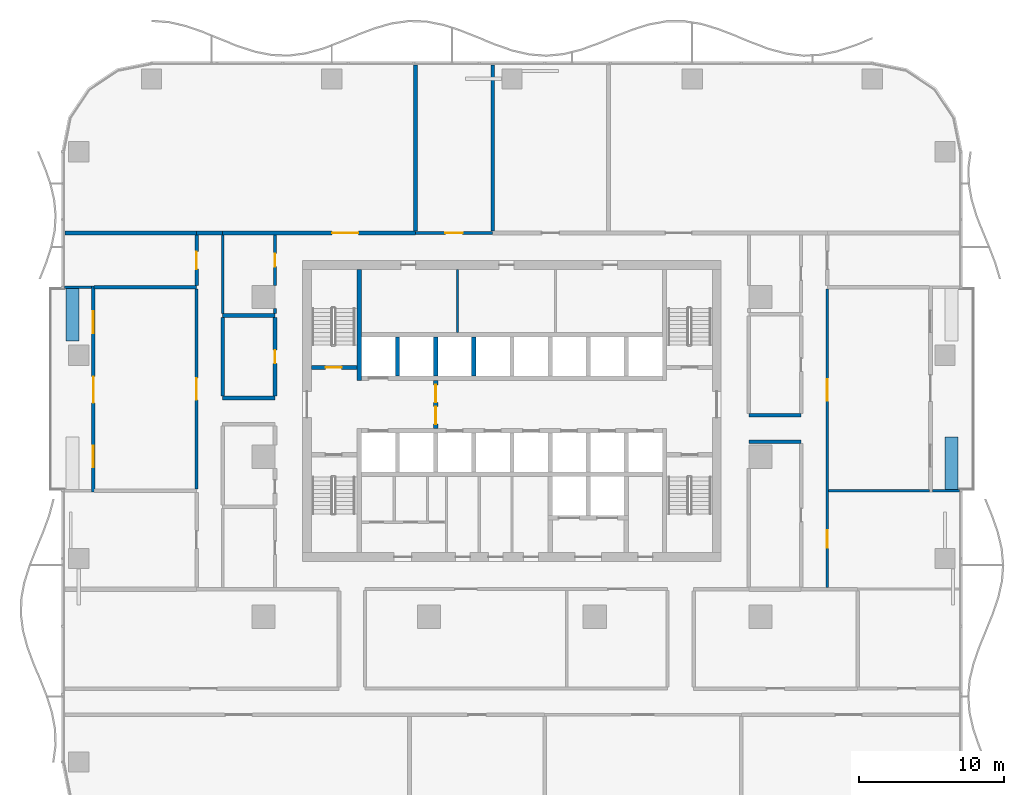
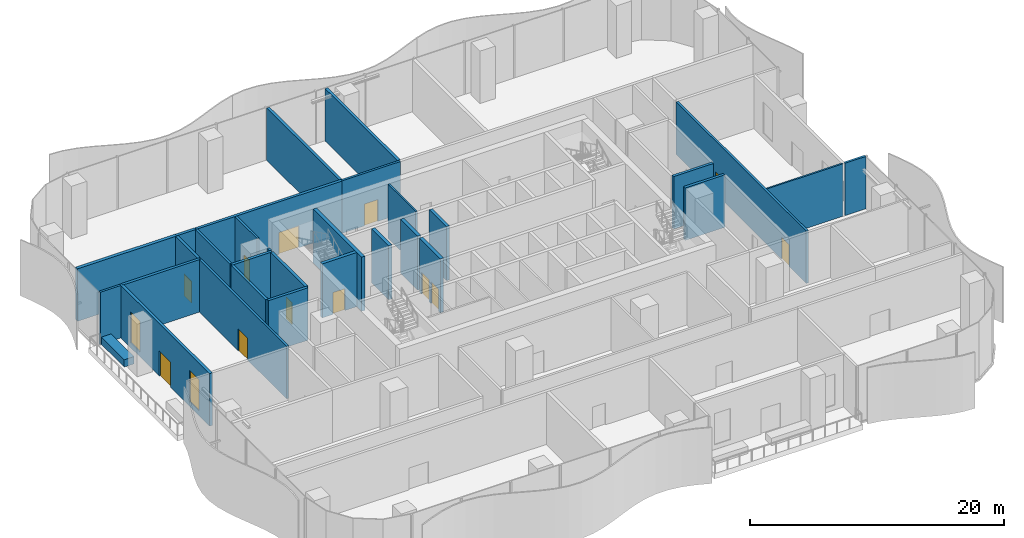
# One storey, part 10 of 20: 32 walls, 12 doors, 2 windows, 14 openings.
"""IFC4 building model written with IfcOpenShell, lengths in metres."""

import ifcopenshell
import ifcopenshell.guid

model = None  # the IFC model being written
_history = None  # IfcOwnerHistory: only IFC2X3 demands one
_inside = {}  # id of a spatial element -> (the spatial element, [elements in it])
_under = {}  # id of a project, library or spatial element -> (it, [spatial elements below it])
_declared = {}  # id of a project -> (the project, [libraries it declares])
_typed = {}  # id of a type object -> (the type object, [elements of that type])
_made_of = {}  # id of a material, layer set ... -> (it, [elements and type objects made of it])


def new_model(schema):
    """Start an empty IFC model of exactly this schema.

    Asked for "IFC4X3", IfcOpenShell would pick the latest addendum, in which some entities
    have other attributes; the version numbers below select the first issue.
    IFC2X3 requires an IfcOwnerHistory on every rooted entity: one is made here for all.
    """
    global model, _history
    if schema == "IFC4X3":
        model = ifcopenshell.file(schema_version=(4, 3, 0, 0))
    else:
        model = ifcopenshell.file(schema=schema)
    _inside.clear()
    _under.clear()
    _declared.clear()
    _typed.clear()
    _made_of.clear()
    _history = None
    if model.schema == "IFC2X3":
        org = make("IfcOrganization", Name="unknown")
        user = make(
            "IfcPersonAndOrganization",
            ThePerson=make("IfcPerson", FamilyName="unknown"),
            TheOrganization=org,
        )
        app = make(
            "IfcApplication",
            ApplicationDeveloper=org,
            Version="unknown",
            ApplicationFullName="unknown",
            ApplicationIdentifier="unknown",
        )
        _history = make(
            "IfcOwnerHistory",
            OwningUser=user,
            OwningApplication=app,
            ChangeAction="ADDED",
            CreationDate=0,
        )
    return model


def make(cls, **values):
    """One entity of the class cls with the attributes given. An attribute that is None is left unset."""
    return model.create_entity(
        cls, **{name: value for name, value in values.items() if value is not None}
    )


def rooted(cls, **values):
    """An entity with a GlobalId (a new one), such as an element, a storey or a relation."""
    return make(cls, GlobalId=ifcopenshell.guid.new(), OwnerHistory=_history, **values)


def si_unit(unit_type, name, prefix=None):
    """IfcSIUnit, for example si_unit("LENGTHUNIT", "METRE", prefix="MILLI")."""
    return make("IfcSIUnit", UnitType=unit_type, Prefix=prefix, Name=name)


def assignment(units):
    """IfcUnitAssignment: the units of a project."""
    return None if units is None else make("IfcUnitAssignment", Units=units)


def point(xyz):
    """IfcCartesianPoint."""
    return None if xyz is None else make("IfcCartesianPoint", Coordinates=xyz)


def direction(xyz):
    """IfcDirection."""
    return None if xyz is None else make("IfcDirection", DirectionRatios=xyz)


def frame(location, z_axis=None, x_axis=None):
    """IfcAxis2Placement3D, a coordinate frame: its origin and axes. An axis left out is left unset."""
    return make(
        "IfcAxis2Placement3D",
        Location=point(location),
        Axis=direction(z_axis),
        RefDirection=direction(x_axis),
    )


def frame_2d(location, x_axis=None):
    """IfcAxis2Placement2D, a coordinate frame in the plane: its origin and x axis."""
    return make(
        "IfcAxis2Placement2D", Location=point(location), RefDirection=direction(x_axis)
    )


def origin():
    """The frame at (0, 0, 0) with its axes left unset."""
    return frame((0.0, 0.0, 0.0))


def place(relative_to, where):
    """IfcLocalPlacement: puts the frame where relative to a parent placement (None: the world)."""
    return make(
        "IfcLocalPlacement", PlacementRelTo=relative_to, RelativePlacement=where
    )


def context(
    kind, dimensions, precision=None, world=None, true_north=None, identifier=None
):
    """IfcGeometricRepresentationContext, for example the 3D "Model" context."""
    return make(
        "IfcGeometricRepresentationContext",
        ContextIdentifier=identifier,
        ContextType=kind,
        CoordinateSpaceDimension=dimensions,
        Precision=precision,
        WorldCoordinateSystem=world,
        TrueNorth=true_north,
    )


def subcontext(parent, identifier, kind, view, scale=None):
    """IfcGeometricRepresentationSubContext, for example "Body" below "Model"."""
    return make(
        "IfcGeometricRepresentationSubContext",
        ContextIdentifier=identifier,
        ContextType=kind,
        ParentContext=parent,
        TargetScale=scale,
        TargetView=view,
    )


def project(units=None, contexts=None):
    """IfcProject with its units and contexts."""
    return rooted(
        "IfcProject",
        Name="project",
        RepresentationContexts=contexts,
        UnitsInContext=assignment(units),
    )


def spatial(cls, under=None, at=None, **own):
    """A site, building, storey or space (cls), placed at a placement, below another one or the project."""
    s = rooted(cls, ObjectPlacement=at, **own)
    if under is not None:
        _under.setdefault(under.id(), (under, []))[1].append(s)
    return s


def profile(cls, at=None, kind="AREA", **sizes):
    """A parametric profile (cls). Its sizes go by their IFC names, for example OverallWidth=200.0."""
    return make(cls, ProfileType=kind, Position=at, **sizes)


def rectangle(**sizes):
    """IfcRectangleProfileDef."""
    return profile("IfcRectangleProfileDef", **sizes)


def extrude(swept, where, along, depth):
    """IfcExtrudedAreaSolid: the profile swept, set in the frame where, extruded along a direction by depth."""
    return make(
        "IfcExtrudedAreaSolid",
        SweptArea=swept,
        Position=where,
        ExtrudedDirection=direction(along),
        Depth=depth,
    )


def shape(context_of_items, identifier, shape_type, items):
    """IfcShapeRepresentation: the items that make up one representation, for example the "Body"."""
    return make(
        "IfcShapeRepresentation",
        ContextOfItems=context_of_items,
        RepresentationIdentifier=identifier,
        RepresentationType=shape_type,
        Items=items,
    )


def material(Name=None, Category=None):
    """IfcMaterial."""
    return make("IfcMaterial", Name=Name, Category=Category)


def layer(
    of_material, thickness, ventilated=None, Name=None, Category=None, Priority=None
):
    """IfcMaterialLayer: one layer of a wall or slab, of a material (None: an air gap)."""
    return make(
        "IfcMaterialLayer",
        Material=of_material,
        LayerThickness=thickness,
        IsVentilated=ventilated,
        Name=Name,
        Category=Category,
        Priority=Priority,
    )


def layer_set(layers, Name=None):
    """IfcMaterialLayerSet."""
    return make("IfcMaterialLayerSet", MaterialLayers=layers, LayerSetName=Name)


def made_of(thing, what):
    """Note that an element or type object is made of a material, layer set ...; save() writes the relation."""
    if what is not None:
        _made_of.setdefault(what.id(), (what, []))[1].append(thing)
    return thing


def type_object(cls, material=None, **own):
    """A type object (cls), such as IfcWallType, which elements share."""
    return made_of(rooted(cls, **own), material)


def element(
    cls,
    number,
    at=None,
    inside=None,
    cuts=None,
    type_object=None,
    material=None,
    context=None,
    identifier="Body",
    shape_type=None,
    held_by="IfcProductDefinitionShape",
    body=None,
    shapes=None,
    **own,
):
    """One element of the class cls, such as IfcWall. Its Tag is "e" and its number.

    at: its placement. inside: the storey or other place that contains it. cuts: it is an
    opening in that element (IfcRelVoidsElement). A single representation is given by context,
    identifier, shape_type and body (its items); several are given by shapes. held_by: the class
    of the entity that holds the representations. save() writes the other relations.
    """
    e = rooted(cls, Tag="e%d" % number, ObjectPlacement=at, **own)
    if body is not None:
        shapes = [shape(context, identifier, shape_type, body)]
    if shapes is not None:
        e.Representation = make(held_by, Representations=shapes)
    if inside is not None:
        _inside.setdefault(inside.id(), (inside, []))[1].append(e)
    if cuts is not None:
        rooted(
            "IfcRelVoidsElement", RelatingBuildingElement=cuts, RelatedOpeningElement=e
        )
    if type_object is not None:
        _typed.setdefault(type_object.id(), (type_object, []))[1].append(e)
    return made_of(e, material)


def fill(opening, filler):
    """IfcRelFillsElement: the door or window that sits in an opening."""
    return rooted(
        "IfcRelFillsElement",
        RelatingOpeningElement=opening,
        RelatedBuildingElement=filler,
    )


def aggregate(whole, parts):
    """IfcRelAggregates: a whole, such as a stair, and the parts it consists of."""
    return rooted("IfcRelAggregates", RelatingObject=whole, RelatedObjects=parts)


def save(model, path):
    """Write the relations noted so far, then the file.

    IfcRelAggregates (storeys below a building ...), IfcRelContainedInSpatialStructure (elements
    in a storey), IfcRelDefinesByType, IfcRelAssociatesMaterial and IfcRelDeclares: one each for
    every whole, place, type object, material and project.
    """
    for whole, parts in _under.values():
        aggregate(whole, parts)
    for where, things in _inside.values():
        rooted(
            "IfcRelContainedInSpatialStructure",
            RelatedElements=things,
            RelatingStructure=where,
        )
    for kind, things in _typed.values():
        rooted("IfcRelDefinesByType", RelatedObjects=things, RelatingType=kind)
    for what, things in _made_of.values():
        rooted("IfcRelAssociatesMaterial", RelatedObjects=things, RelatingMaterial=what)
    for by, libraries in _declared.values():
        rooted("IfcRelDeclares", RelatingContext=by, RelatedDefinitions=libraries)
    model.write(path)


model = new_model("IFC4")

# Units and contexts
model_context = context("Model", 3, precision=1e-05, world=origin(), true_north=direction((0.0, 1.0)))
body_context = subcontext(model_context, "Body", "Model", "MODEL_VIEW")
ifc_project = project(units=[si_unit("LENGTHUNIT", "METRE"), si_unit("AREAUNIT", "SQUARE_METRE"), si_unit("VOLUMEUNIT", "CUBIC_METRE"), si_unit("PLANEANGLEUNIT", "RADIAN"), si_unit("MASSUNIT", "GRAM", prefix="KILO")], contexts=[model_context])

# Site, building, storey
site_placement = place(None, origin())
site = spatial("IfcSite", under=ifc_project, at=site_placement, CompositionType="ELEMENT")
building_placement = place(site_placement, origin())
building = spatial("IfcBuilding", under=site, at=building_placement, Name="Mopane Tessera Tower", CompositionType="ELEMENT")
storey_placement = place(building_placement, frame((0.0, 0.0, 25.5)))
storey = spatial("IfcBuildingStorey", under=building, at=storey_placement, Name="L04", CompositionType="ELEMENT", Elevation=25.5)

# Walls
ifc_material_1 = material(Name="Fire-rated gypsum board partition")
ifc_layer_1 = layer(ifc_material_1, 0.14990234375)
ifc_layer_set_1 = layer_set([ifc_layer_1], Name="Fire-rated gypsum board partition")
wall_type_1 = type_object("IfcWallType", Name="Core room partition 150 mm", PredefinedType="PARTITIONING", material=ifc_layer_set_1)
wall_1_placement = place(storey_placement, frame((-3.75, 8.550048828125, 0.0), z_axis=(0.0, 0.0, 1.0), x_axis=(0.0, 1.0, 0.0)))
element("IfcWall", 1, at=wall_1_placement, inside=storey, type_object=wall_type_1, Name="L04 Room partition", PredefinedType="PARTITIONING", context=body_context, shape_type="SweptSolid", body=[
    extrude(rectangle(XDim=4.349853515625, YDim=0.14990234375, at=frame_2d((2.1748046875, 0.0))), origin(), (0.0, 0.0, 1.0), 5.199951171875),
])
ifc_material_2 = material(Name="Concrete C60/75", Category="concrete")
ifc_layer_2 = layer(ifc_material_2, 0.300048828125)
ifc_layer_set_2 = layer_set([ifc_layer_2], Name="Concrete C60/75")
wall_type_2 = type_object("IfcWallType", Name="Core spine wall 300 mm", PredefinedType="SHEAR", material=ifc_layer_set_2)
wall_2_placement = place(storey_placement, frame((-10.5, 5.25, 0.0), z_axis=(0.0, 0.0, 1.0), x_axis=(0.0, 1.0, 0.0)))
element("IfcWall", 2, at=wall_2_placement, inside=storey, type_object=wall_type_2, Name="L04 Core spine wall", PredefinedType="SHEAR", context=body_context, shape_type="SweptSolid", body=[
    extrude(rectangle(XDim=7.64990234375, YDim=0.300048828125, at=frame_2d((3.824951171875, 0.0))), origin(), (0.0, 0.0, 1.0), 5.199951171875),
])

# Wall, opening, door
ifc_material_3 = material(Name="Gypsum board on steel studs, two layers each face, mineral wool infill", Category="steel")
ifc_layer_3 = layer(ifc_material_3, 0.199951171875)
ifc_layer_set_3 = layer_set([ifc_layer_3], Name="Gypsum board on steel studs, two layers each face, mineral wool infill")
wall_type_3 = type_object("IfcWallType", Name="Gypsum board corridor wall 200, rated EI 60", PredefinedType="PARTITIONING", material=ifc_layer_set_3)
wall_3_placement = place(storey_placement, frame((-6.639892578125, 15.39990234375, 0.0), z_axis=(0.0, 0.0, 1.0), x_axis=(1.0, 0.0, 0.0)))
wall_3 = element("IfcWall", 3, at=wall_3_placement, inside=storey, type_object=wall_type_3, Name="Partition L04:025", PredefinedType="PARTITIONING", context=body_context, shape_type="SweptSolid", body=[
    extrude(rectangle(XDim=5.309814453125, YDim=0.199951171875, at=frame_2d((2.65478515625, 0.0))), origin(), (0.0, 0.0, 1.0), 5.050048828125),
])
opening_1_placement = place(wall_3_placement, frame((2.054931640625, 0.0, 0.0)))
opening_1 = element("IfcOpeningElement", 4, at=opening_1_placement, cuts=wall_3, Name="Opening L04-24", PredefinedType="OPENING", context=body_context, shape_type="SweptSolid", body=[
    extrude(rectangle(XDim=1.199951171875, YDim=2.10009765625, at=frame_2d((0.60009765625, 1.050048828125))), frame((0.0, 0.112060546875, 0.0), z_axis=(0.0, -1.0, 0.0), x_axis=(1.0, 0.0, 0.0)), (0.0, 0.0, 1.0), 0.223876953125),
])
ifc_material_4 = material(Name="Timber veneered steel-framed fire door", Category="steel")
door_type_1 = type_object("IfcDoorType", Name="Fire door FD60 1200 x 2100", OperationType="SINGLE_SWING_LEFT", PredefinedType="DOOR", material=ifc_material_4)
door_1_placement = place(opening_1_placement, origin())
door_1 = element("IfcDoor", 5, at=door_1_placement, inside=storey, type_object=door_type_1, Name="Door L04-24", ObjectType="D15A", OperationType="SINGLE_SWING_LEFT", OverallHeight=2.10009765625, OverallWidth=1.199951171875, PredefinedType="DOOR", context=body_context, shape_type="SweptSolid", body=[
    extrude(rectangle(XDim=1.199951171875, YDim=2.10009765625, at=frame_2d((0.60009765625, 1.050048828125))), frame((0.0, 0.02490234375, 0.0), z_axis=(0.0, -1.0, 0.0), x_axis=(1.0, 0.0, 0.0)), (0.0, 0.0, 1.0), 0.050048828125),
])
fill(opening_1, door_1)

wall_4_placement = place(storey_placement, frame((-21.699951171875, -2.2099609375, 0.0), z_axis=(0.0, 0.0, 1.0), x_axis=(0.0, 1.0, 0.0)))
wall_4 = element("IfcWall", 6, at=wall_4_placement, inside=storey, type_object=wall_type_3, Name="Partition L04:031", PredefinedType="PARTITIONING", context=body_context, shape_type="SweptSolid", body=[
    extrude(rectangle(XDim=13.75, YDim=0.199951171875, at=frame_2d((6.875, 0.0))), origin(), (0.0, 0.0, 1.0), 5.050048828125),
])
opening_2_placement = place(wall_4_placement, frame((6.125, 0.0, 0.0)))
opening_2 = element("IfcOpeningElement", 7, at=opening_2_placement, cuts=wall_4, Name="Opening L04-18", PredefinedType="OPENING", context=body_context, shape_type="SweptSolid", body=[
    extrude(rectangle(XDim=1.5, YDim=2.10009765625, at=frame_2d((0.75, 1.050048828125))), frame((0.0, 0.112060546875, 0.0), z_axis=(0.0, -1.0, 0.0), x_axis=(1.0, 0.0, 0.0)), (0.0, 0.0, 1.0), 0.223876953125),
])
ifc_material_5 = material(Name="Timber veneered steel-framed fire door", Category="steel")
door_type_2 = type_object("IfcDoorType", Name="Fire door pair FD60 1500 x 2100", OperationType="DOUBLE_DOOR_SINGLE_SWING", PredefinedType="DOOR", material=ifc_material_5)
door_2_placement = place(opening_2_placement, origin())
door_2 = element("IfcDoor", 8, at=door_2_placement, inside=storey, type_object=door_type_2, Name="Door L04-18", ObjectType="D17A", OperationType="DOUBLE_DOOR_SINGLE_SWING", OverallHeight=2.10009765625, OverallWidth=1.5, PredefinedType="DOOR", context=body_context, shape_type="SweptSolid", body=[
    extrude(rectangle(XDim=1.5, YDim=2.10009765625, at=frame_2d((0.75, 1.050048828125))), frame((0.0, 0.02490234375, 0.0), z_axis=(0.0, -1.0, 0.0), x_axis=(1.0, 0.0, 0.0)), (0.0, 0.0, 1.0), 0.050048828125),
])
fill(opening_2, door_2)

# Walls
wall_5_placement = place(storey_placement, frame((-19.89990234375, 9.85009765625, 0.0), z_axis=(0.0, 0.0, 1.0), x_axis=(0.0, 1.0, 0.0)))
element("IfcWall", 9, at=wall_5_placement, inside=storey, type_object=wall_type_3, Name="Partition L04:035", PredefinedType="PARTITIONING", context=body_context, shape_type="SweptSolid", body=[
    extrude(rectangle(XDim=5.4248046875, YDim=0.199951171875, at=frame_2d((2.71240234375, 0.0))), origin(), (0.0, 0.0, 1.0), 5.050048828125),
])
wall_6_placement = place(storey_placement, frame((-16.300048828125, 9.85009765625, 0.0), z_axis=(0.0, 0.0, 1.0), x_axis=(0.0, 1.0, 0.0)))
element("IfcWall", 10, at=wall_6_placement, inside=storey, type_object=wall_type_3, Name="Partition L04:039", PredefinedType="PARTITIONING", context=body_context, shape_type="SweptSolid", body=[
    extrude(rectangle(XDim=0.349853515625, YDim=0.199951171875, at=frame_2d((0.1748046875, 0.0))), origin(), (0.0, 0.0, 1.0), 5.050048828125),
])

# Wall, opening, door
wall_7_placement = place(storey_placement, frame((-16.300048828125, 11.800048828125, 0.0), z_axis=(0.0, 0.0, 1.0), x_axis=(0.0, 1.0, 0.0)))
wall_7 = element("IfcWall", 11, at=wall_7_placement, inside=storey, type_object=wall_type_3, Name="Partition L04:040", PredefinedType="PARTITIONING", context=body_context, shape_type="SweptSolid", body=[
    extrude(rectangle(XDim=3.474853515625, YDim=0.199951171875, at=frame_2d((1.7373046875, 0.0))), origin(), (0.0, 0.0, 1.0), 5.050048828125),
])
opening_3_placement = place(wall_7_placement, frame((1.28759765625, 0.0, 0.0)))
opening_3 = element("IfcOpeningElement", 12, at=opening_3_placement, cuts=wall_7, Name="Opening L04-23", PredefinedType="OPENING", context=body_context, shape_type="SweptSolid", body=[
    extrude(rectangle(XDim=0.89990234375, YDim=2.10009765625, at=frame_2d((0.449951171875, 1.050048828125))), frame((0.0, 0.112060546875, 0.0), z_axis=(0.0, -1.0, 0.0), x_axis=(1.0, 0.0, 0.0)), (0.0, 0.0, 1.0), 0.223876953125),
])
ifc_material_6 = material(Name="Timber veneered steel-framed fire door", Category="steel")
door_type_3 = type_object("IfcDoorType", Name="Fire door FD60 900 x 2100", OperationType="SINGLE_SWING_LEFT", PredefinedType="DOOR", material=ifc_material_6)
door_3_placement = place(opening_3_placement, origin())
door_3 = element("IfcDoor", 13, at=door_3_placement, inside=storey, type_object=door_type_3, Name="Door L04-23", ObjectType="D10A", OperationType="SINGLE_SWING_RIGHT", OverallHeight=2.10009765625, OverallWidth=0.89990234375, PredefinedType="DOOR", context=body_context, shape_type="SweptSolid", body=[
    extrude(rectangle(XDim=0.89990234375, YDim=2.10009765625, at=frame_2d((0.449951171875, 1.050048828125))), frame((0.0, 0.02490234375, 0.0), z_axis=(0.0, -1.0, 0.0), x_axis=(1.0, 0.0, 0.0)), (0.0, 0.0, 1.0), 0.050048828125),
])
fill(opening_3, door_3)

# Wall, openings, doors
wall_8_placement = place(storey_placement, frame((21.699951171875, -8.97509765625, 0.0), z_axis=(0.0, 0.0, 1.0), x_axis=(0.0, 1.0, 0.0)))
wall_8 = element("IfcWall", 14, at=wall_8_placement, inside=storey, type_object=wall_type_3, Name="Partition L04:062", PredefinedType="PARTITIONING", context=body_context, shape_type="SweptSolid", body=[
    extrude(rectangle(XDim=20.51513671875, YDim=0.199951171875, at=frame_2d((10.257568359375, 0.0))), origin(), (0.0, 0.0, 1.0), 5.050048828125),
])
opening_4_placement = place(wall_8_placement, frame((2.719970703125, 0.0, 0.0)))
opening_4 = element("IfcOpeningElement", 15, at=opening_4_placement, cuts=wall_8, Name="Opening L04-03", PredefinedType="OPENING", context=body_context, shape_type="SweptSolid", body=[
    extrude(rectangle(XDim=1.199951171875, YDim=2.10009765625, at=frame_2d((0.60009765625, 1.050048828125))), frame((0.0, 0.112060546875, 0.0), z_axis=(0.0, -1.0, 0.0), x_axis=(1.0, 0.0, 0.0)), (0.0, 0.0, 1.0), 0.223876953125),
])
opening_5_placement = place(wall_8_placement, frame((12.827392578125, 0.0, 0.0)))
opening_5 = element("IfcOpeningElement", 16, at=opening_5_placement, cuts=wall_8, Name="Opening L04-20", PredefinedType="OPENING", context=body_context, shape_type="SweptSolid", body=[
    extrude(rectangle(XDim=1.5, YDim=2.10009765625, at=frame_2d((0.75, 1.050048828125))), frame((0.0, 0.112060546875, 0.0), z_axis=(0.0, -1.0, 0.0), x_axis=(1.0, 0.0, 0.0)), (0.0, 0.0, 1.0), 0.223876953125),
])
door_4_placement = place(opening_4_placement, origin())
door_4 = element("IfcDoor", 17, at=door_4_placement, inside=storey, type_object=door_type_1, Name="Door L04-03", ObjectType="D15A", OperationType="SINGLE_SWING_LEFT", OverallHeight=2.10009765625, OverallWidth=1.199951171875, PredefinedType="DOOR", context=body_context, shape_type="SweptSolid", body=[
    extrude(rectangle(XDim=1.199951171875, YDim=2.10009765625, at=frame_2d((0.60009765625, 1.050048828125))), frame((0.0, 0.02490234375, 0.0), z_axis=(0.0, -1.0, 0.0), x_axis=(1.0, 0.0, 0.0)), (0.0, 0.0, 1.0), 0.050048828125),
])
fill(opening_4, door_4)
door_5_placement = place(opening_5_placement, origin())
door_5 = element("IfcDoor", 18, at=door_5_placement, inside=storey, type_object=door_type_2, Name="Door L04-20", ObjectType="D17A", OperationType="DOUBLE_DOOR_SINGLE_SWING", OverallHeight=2.10009765625, OverallWidth=1.5, PredefinedType="DOOR", context=body_context, shape_type="SweptSolid", body=[
    extrude(rectangle(XDim=1.5, YDim=2.10009765625, at=frame_2d((0.75, 1.050048828125))), frame((0.0, 0.02490234375, 0.0), z_axis=(0.0, -1.0, 0.0), x_axis=(1.0, 0.0, 0.0)), (0.0, 0.0, 1.0), 0.050048828125),
])
fill(opening_5, door_5)

# Wall
ifc_material_7 = material(Name="Gypsum board on steel studs, mineral wool infill", Category="steel")
ifc_layer_4 = layer(ifc_material_7, 0.14990234375)
ifc_layer_set_4 = layer_set([ifc_layer_4], Name="Gypsum board on steel studs, mineral wool infill")
wall_type_4 = type_object("IfcWallType", Name="Gypsum board partition 150, rated EI 60", PredefinedType="PARTITIONING", material=ifc_layer_set_4)
wall_9_placement = place(storey_placement, frame((21.800048828125, -2.3349609375, 0.0), z_axis=(0.0, 0.0, 1.0), x_axis=(1.0, 0.0, 0.0)))
element("IfcWall", 19, at=wall_9_placement, inside=storey, type_object=wall_type_4, Name="Partition L04:015", PredefinedType="PARTITIONING", context=body_context, shape_type="SweptSolid", body=[
    extrude(rectangle(XDim=6.949951171875, YDim=0.14990234375, at=frame_2d((3.47509765625, 0.0))), origin(), (0.0, 0.0, 1.0), 5.050048828125),
])

# Wall, opening, door
ifc_material_8 = material(Name="Concrete C50/60", Category="concrete")
ifc_layer_5 = layer(ifc_material_8, 0.300048828125)
ifc_layer_set_5 = layer_set([ifc_layer_5], Name="Concrete C50/60")
wall_type_5 = type_object("IfcWallType", Name="Lift and stair shaft wall 300 mm", PredefinedType="SOLIDWALL", material=ifc_layer_set_5)
wall_10_placement = place(storey_placement, frame((-13.800048828125, 6.14990234375, 0.0), z_axis=(0.0, 0.0, 1.0), x_axis=(1.0, 0.0, 0.0)))
wall_10 = element("IfcWall", 20, at=wall_10_placement, inside=storey, type_object=wall_type_5, Name="L04 Stair enclosure wall", PredefinedType="SOLIDWALL", context=body_context, shape_type="SweptSolid", body=[
    extrude(rectangle(XDim=3.150146484375, YDim=0.300048828125, at=frame_2d((1.5751953125, 0.0))), origin(), (0.0, 0.0, 1.0), 5.199951171875),
])
opening_6_placement = place(wall_10_placement, frame((0.97509765625, 0.0, 0.0)))
opening_6 = element("IfcOpeningElement", 21, at=opening_6_placement, cuts=wall_10, Name="Opening SD1", PredefinedType="OPENING", context=body_context, shape_type="SweptSolid", body=[
    extrude(rectangle(XDim=1.10009765625, YDim=2.10009765625, at=frame_2d((0.550048828125, 1.050048828125))), frame((0.0, 0.162109375, 0.0), z_axis=(0.0, -1.0, 0.0), x_axis=(1.0, 0.0, 0.0)), (0.0, 0.0, 1.0), 0.323974609375),
])
ifc_material_9 = material(Name="Steel fire door", Category="steel")
door_type_4 = type_object("IfcDoorType", Name="Stair fire door 1100 x 2100", OperationType="SINGLE_SWING_LEFT", PredefinedType="DOOR", material=ifc_material_9)
door_6_placement = place(opening_6_placement, origin())
door_6 = element("IfcDoor", 22, at=door_6_placement, inside=storey, type_object=door_type_4, Name="L04 Stair door ST2", OperationType="SINGLE_SWING_LEFT", OverallHeight=2.10009765625, OverallWidth=1.10009765625, PredefinedType="DOOR", context=body_context, shape_type="SweptSolid", body=[
    extrude(rectangle(XDim=1.10009765625, YDim=2.10009765625, at=frame_2d((0.550048828125, 1.050048828125))), frame((0.0, 0.02490234375, 0.0), z_axis=(0.0, -1.0, 0.0), x_axis=(1.0, 0.0, 0.0)), (0.0, 0.0, 1.0), 0.050048828125),
])
fill(opening_6, door_6)

# Walls
for number, where, z_axis, x_axis, name in (
    (23, (-7.875, 5.550048828125, 0.0), (0.0, 0.0, 1.0), (0.0, 1.0, 0.0), "L04 Lift shaft wall"),
    (24, (-5.25, 5.550048828125, 0.0), (0.0, 0.0, 1.0), (0.0, 1.0, 0.0), "L04 Lift shaft wall"),
    (25, (-2.625, 5.550048828125, 0.0), (0.0, 0.0, 1.0), (0.0, 1.0, 0.0), "L04 Lift shaft wall"),
):
    element("IfcWall", number, at=place(storey_placement, frame(where, z_axis=z_axis, x_axis=x_axis)), inside=storey, type_object=wall_type_5, Name=name, PredefinedType="SOLIDWALL", context=body_context, shape_type="SweptSolid", body=[
        extrude(rectangle(XDim=2.699951171875, YDim=0.300048828125, at=frame_2d((1.35009765625, 0.0))), origin(), (0.0, 0.0, 1.0), 5.199951171875),
    ])

# Wall, openings, doors
ifc_material_10 = material(Name="Concrete C50/60", Category="concrete")
ifc_layer_6 = layer(ifc_material_10, 0.300048828125)
ifc_layer_set_6 = layer_set([ifc_layer_6], Name="Concrete C50/60")
wall_type_6 = type_object("IfcWallType", Name="Lobby and refuge room wall 300 mm", PredefinedType="SOLIDWALL", material=ifc_layer_set_6)
wall_11_placement = place(storey_placement, frame((-5.25, 1.949951171875, 0.0), z_axis=(0.0, 0.0, 1.0), x_axis=(0.0, 1.0, 0.0)))
wall_11 = element("IfcWall", 26, at=wall_11_placement, inside=storey, type_object=wall_type_6, Name="L04 Fire-fighting lobby wall", PredefinedType="SOLIDWALL", context=body_context, shape_type="SweptSolid", body=[
    extrude(rectangle(XDim=3.300048828125, YDim=0.300048828125, at=frame_2d((1.64990234375, 0.0))), origin(), (0.0, 0.0, 1.0), 5.199951171875),
])
opening_7_placement = place(wall_11_placement, frame((0.300048828125, 0.0, 0.0)))
opening_7 = element("IfcOpeningElement", 27, at=opening_7_placement, cuts=wall_11, Name="Opening SD3", PredefinedType="OPENING", context=body_context, shape_type="SweptSolid", body=[
    extrude(rectangle(XDim=1.199951171875, YDim=2.10009765625, at=frame_2d((0.60009765625, 1.050048828125))), frame((0.0, 0.162109375, 0.0), z_axis=(0.0, -1.0, 0.0), x_axis=(1.0, 0.0, 0.0)), (0.0, 0.0, 1.0), 0.323974609375),
])
opening_8_placement = place(wall_11_placement, frame((1.800048828125, 0.0, 0.0)))
opening_8 = element("IfcOpeningElement", 28, at=opening_8_placement, cuts=wall_11, Name="Opening SD3", PredefinedType="OPENING", context=body_context, shape_type="SweptSolid", body=[
    extrude(rectangle(XDim=1.199951171875, YDim=2.10009765625, at=frame_2d((0.60009765625, 1.050048828125))), frame((0.0, 0.162109375, 0.0), z_axis=(0.0, -1.0, 0.0), x_axis=(1.0, 0.0, 0.0)), (0.0, 0.0, 1.0), 0.323974609375),
])
ifc_material_11 = material(Name="Steel fire door", Category="steel")
door_type_5 = type_object("IfcDoorType", Name="Lobby fire door 1200 x 2100", OperationType="SINGLE_SWING_LEFT", PredefinedType="DOOR", material=ifc_material_11)
door_7_placement = place(opening_7_placement, origin())
door_7 = element("IfcDoor", 29, at=door_7_placement, inside=storey, type_object=door_type_5, Name="L04 Fire-fighting lobby door", OperationType="SINGLE_SWING_LEFT", OverallHeight=2.10009765625, OverallWidth=1.199951171875, PredefinedType="DOOR", context=body_context, shape_type="SweptSolid", body=[
    extrude(rectangle(XDim=1.199951171875, YDim=2.10009765625, at=frame_2d((0.60009765625, 1.050048828125))), frame((0.0, 0.02490234375, 0.0), z_axis=(0.0, -1.0, 0.0), x_axis=(1.0, 0.0, 0.0)), (0.0, 0.0, 1.0), 0.050048828125),
])
fill(opening_7, door_7)
door_8_placement = place(opening_8_placement, origin())
door_8 = element("IfcDoor", 30, at=door_8_placement, inside=storey, type_object=door_type_5, Name="L04 Fire-fighting lobby door", OperationType="SINGLE_SWING_RIGHT", OverallHeight=2.10009765625, OverallWidth=1.199951171875, PredefinedType="DOOR", context=body_context, shape_type="SweptSolid", body=[
    extrude(rectangle(XDim=1.199951171875, YDim=2.10009765625, at=frame_2d((0.60009765625, 1.050048828125))), frame((0.0, 0.02490234375, 0.0), z_axis=(0.0, -1.0, 0.0), x_axis=(1.0, 0.0, 0.0)), (0.0, 0.0, 1.0), 0.050048828125),
])
fill(opening_8, door_8)

# Walls
ifc_material_12 = material(Name="Reinforced concrete C32/40 with waterproofing", Category="concrete")
ifc_layer_7 = layer(ifc_material_12, 0.89990234375)
ifc_layer_set_7 = layer_set([ifc_layer_7], Name="Reinforced concrete C32/40 with waterproofing")
wall_type_7 = type_object("IfcWallType", Name="Planter trough 3600 x 900", PredefinedType="STANDARD", material=ifc_layer_set_7)
for number, where, z_axis, x_axis, name in (
    (31, (30.25, -2.2333984375, 0.0), (0.0, 0.0, 1.0), (0.0, 1.0, 0.0), "e:nw:L04:N2:pl0"),
    (32, (-30.25, 11.566650390625, 0.0), (0.0, 0.0, 1.0), (0.0, -1.0, 0.0), "e:nw:L04:N3:pl0"),
):
    element("IfcWall", number, at=place(storey_placement, frame(where, z_axis=z_axis, x_axis=x_axis)), inside=storey, type_object=wall_type_7, Name=name, PredefinedType="STANDARD", context=body_context, shape_type="SweptSolid", body=[
        extrude(rectangle(XDim=3.60009765625, YDim=0.89990234375, at=frame_2d((1.800048828125, 0.0))), origin(), (0.0, 0.0, 1.0), 0.699951171875),
    ])
ifc_material_13 = material(Name="Plastered concrete blockwork C20/25", Category="masonry")
ifc_layer_8 = layer(ifc_material_13, 0.300048828125)
ifc_layer_set_8 = layer_set([ifc_layer_8], Name="Plastered concrete blockwork C20/25")
wall_type_8 = type_object("IfcWallType", Name="Plastered blockwork separation wall 300, rated EI 120", PredefinedType="PARTITIONING", material=ifc_layer_set_8)
wall_12_placement = place(storey_placement, frame((-30.75, 15.39990234375, 0.0), z_axis=(0.0, 0.0, 1.0), x_axis=(1.0, 0.0, 0.0)))
element("IfcWall", 33, at=wall_12_placement, inside=storey, type_object=wall_type_8, Name="Partition L04:029", PredefinedType="PARTITIONING", context=body_context, shape_type="SweptSolid", body=[
    extrude(rectangle(XDim=9.050048828125, YDim=0.300048828125, at=frame_2d((4.52490234375, 0.0))), origin(), (0.0, 0.0, 1.0), 5.050048828125),
])
ifc_material_14 = material(Name="Plastered concrete blockwork C20/25", Category="masonry")
ifc_layer_9 = layer(ifc_material_14, 0.25)
ifc_layer_set_9 = layer_set([ifc_layer_9], Name="Plastered concrete blockwork C20/25")
wall_type_9 = type_object("IfcWallType", Name="Plastered blockwork wall 250, rated EI 120", PredefinedType="PARTITIONING", material=ifc_layer_set_9)
for number, where, z_axis, x_axis, name in (
    (34, (16.300048828125, 1.050048828125, 0.0), (0.0, 0.0, 1.0), (1.0, 0.0, 0.0), "Partition L04:017"),
    (35, (16.300048828125, 2.85009765625, 0.0), (0.0, 0.0, 1.0), (1.0, 0.0, 0.0), "Partition L04:019"),
    (36, (-19.89990234375, 4.050048828125, 0.0), (0.0, 0.0, 1.0), (1.0, 0.0, 0.0), "Partition L04:020"),
    (37, (-19.89990234375, 9.72509765625, 0.0), (0.0, 0.0, 1.0), (1.0, 0.0, 0.0), "Partition L04:021"),
):
    element("IfcWall", number, at=place(storey_placement, frame(where, z_axis=z_axis, x_axis=x_axis)), inside=storey, type_object=wall_type_9, Name=name, PredefinedType="PARTITIONING", context=body_context, shape_type="SweptSolid", body=[
        extrude(rectangle(XDim=3.599853515625, YDim=0.25, at=frame_2d((1.7998046875, 0.0))), origin(), (0.0, 0.0, 1.0), 5.050048828125),
    ])
wall_13_placement = place(storey_placement, frame((-28.75, 11.6650390625, 0.0), z_axis=(0.0, 0.0, 1.0), x_axis=(1.0, 0.0, 0.0)))
element("IfcWall", 38, at=wall_13_placement, inside=storey, type_object=wall_type_9, Name="Partition L04:023", PredefinedType="PARTITIONING", context=body_context, shape_type="SweptSolid", body=[
    extrude(rectangle(XDim=7.050048828125, YDim=0.25, at=frame_2d((3.52490234375, 0.0))), origin(), (0.0, 0.0, 1.0), 5.050048828125),
])
wall_14_placement = place(storey_placement, frame((-21.699951171875, 15.39990234375, 0.0), z_axis=(0.0, 0.0, 1.0), x_axis=(1.0, 0.0, 0.0)))
element("IfcWall", 39, at=wall_14_placement, inside=storey, type_object=wall_type_9, Name="Partition L04:026", PredefinedType="PARTITIONING", context=body_context, shape_type="SweptSolid", body=[
    extrude(rectangle(XDim=1.77490234375, YDim=0.25, at=frame_2d((0.887451171875, 0.0))), origin(), (0.0, 0.0, 1.0), 5.050048828125),
])

# Wall, opening, door
wall_15_placement = place(storey_placement, frame((-19.89990234375, 15.39990234375, 0.0), z_axis=(0.0, 0.0, 1.0), x_axis=(1.0, 0.0, 0.0)))
wall_15 = element("IfcWall", 40, at=wall_15_placement, inside=storey, type_object=wall_type_9, Name="Partition L04:027", PredefinedType="PARTITIONING", context=body_context, shape_type="SweptSolid", body=[
    extrude(rectangle(XDim=13.260009765625, YDim=0.25, at=frame_2d((6.6298828125, 0.0))), origin(), (0.0, 0.0, 1.0), 5.050048828125),
])
opening_9_placement = place(wall_15_placement, frame((7.530029296875, 0.0, 0.0)))
opening_9 = element("IfcOpeningElement", 41, at=opening_9_placement, cuts=wall_15, Name="Opening L04-01", PredefinedType="OPENING", context=body_context, shape_type="SweptSolid", body=[
    extrude(rectangle(XDim=1.800048828125, YDim=2.10009765625, at=frame_2d((0.89990234375, 1.050048828125))), frame((0.0, 0.136962890625, 0.0), z_axis=(0.0, -1.0, 0.0), x_axis=(1.0, 0.0, 0.0)), (0.0, 0.0, 1.0), 0.27392578125),
])
ifc_material_15 = material(Name="Timber veneered steel-framed fire door", Category="steel")
door_type_6 = type_object("IfcDoorType", Name="Fire door pair FD120 1800 x 2100", OperationType="DOUBLE_DOOR_SINGLE_SWING", PredefinedType="DOOR", material=ifc_material_15)
door_9_placement = place(opening_9_placement, origin())
door_9 = element("IfcDoor", 42, at=door_9_placement, inside=storey, type_object=door_type_6, Name="Door L04-01", ObjectType="D20B", OperationType="DOUBLE_DOOR_SINGLE_SWING", OverallHeight=2.10009765625, OverallWidth=1.800048828125, PredefinedType="DOOR", context=body_context, shape_type="SweptSolid", body=[
    extrude(rectangle(XDim=1.800048828125, YDim=2.10009765625, at=frame_2d((0.89990234375, 1.050048828125))), frame((0.0, 0.02490234375, 0.0), z_axis=(0.0, -1.0, 0.0), x_axis=(1.0, 0.0, 0.0)), (0.0, 0.0, 1.0), 0.050048828125),
])
fill(opening_9, door_9)

wall_16_placement = place(storey_placement, frame((-21.699951171875, 11.7900390625, 0.0), z_axis=(0.0, 0.0, 1.0), x_axis=(0.0, 1.0, 0.0)))
wall_16 = element("IfcWall", 43, at=wall_16_placement, inside=storey, type_object=wall_type_9, Name="Partition L04:033", PredefinedType="PARTITIONING", context=body_context, shape_type="SweptSolid", body=[
    extrude(rectangle(XDim=3.4599609375, YDim=0.25, at=frame_2d((1.72998046875, 0.0))), origin(), (0.0, 0.0, 1.0), 5.050048828125),
])
opening_10_placement = place(wall_16_placement, frame((1.1298828125, 0.0, 0.0)))
opening_10 = element("IfcOpeningElement", 44, at=opening_10_placement, cuts=wall_16, Name="Opening L04-06", PredefinedType="OPENING", context=body_context, shape_type="SweptSolid", body=[
    extrude(rectangle(XDim=1.199951171875, YDim=2.10009765625, at=frame_2d((0.60009765625, 1.050048828125))), frame((0.0, 0.136962890625, 0.0), z_axis=(0.0, -1.0, 0.0), x_axis=(1.0, 0.0, 0.0)), (0.0, 0.0, 1.0), 0.27392578125),
])
ifc_material_16 = material(Name="Timber veneered steel-framed fire door", Category="steel")
door_type_7 = type_object("IfcDoorType", Name="Fire door FD120 1200 x 2100", OperationType="SINGLE_SWING_LEFT", PredefinedType="DOOR", material=ifc_material_16)
door_10_placement = place(opening_10_placement, origin())
door_10 = element("IfcDoor", 45, at=door_10_placement, inside=storey, type_object=door_type_7, Name="Door L04-06", ObjectType="D15B", OperationType="SINGLE_SWING_RIGHT", OverallHeight=2.10009765625, OverallWidth=1.199951171875, PredefinedType="DOOR", context=body_context, shape_type="SweptSolid", body=[
    extrude(rectangle(XDim=1.199951171875, YDim=2.10009765625, at=frame_2d((0.60009765625, 1.050048828125))), frame((0.0, 0.02490234375, 0.0), z_axis=(0.0, -1.0, 0.0), x_axis=(1.0, 0.0, 0.0)), (0.0, 0.0, 1.0), 0.050048828125),
])
fill(opening_10, door_10)

# Wall
wall_17_placement = place(storey_placement, frame((-19.89990234375, 4.175048828125, 0.0), z_axis=(0.0, 0.0, 1.0), x_axis=(0.0, 1.0, 0.0)))
element("IfcWall", 46, at=wall_17_placement, inside=storey, type_object=wall_type_9, Name="Partition L04:037", PredefinedType="PARTITIONING", context=body_context, shape_type="SweptSolid", body=[
    extrude(rectangle(XDim=5.425048828125, YDim=0.25, at=frame_2d((2.71240234375, 0.0))), origin(), (0.0, 0.0, 1.0), 5.050048828125),
])

# Wall, opening, door
wall_18_placement = place(storey_placement, frame((-16.300048828125, 4.175048828125, 0.0), z_axis=(0.0, 0.0, 1.0), x_axis=(0.0, 1.0, 0.0)))
wall_18 = element("IfcWall", 47, at=wall_18_placement, inside=storey, type_object=wall_type_9, Name="Partition L04:043", PredefinedType="PARTITIONING", context=body_context, shape_type="SweptSolid", body=[
    extrude(rectangle(XDim=5.425048828125, YDim=0.25, at=frame_2d((2.71240234375, 0.0))), origin(), (0.0, 0.0, 1.0), 5.050048828125),
])
opening_11_placement = place(wall_18_placement, frame((2.262451171875, 0.0, 0.0)))
opening_11 = element("IfcOpeningElement", 48, at=opening_11_placement, cuts=wall_18, Name="Opening L04-14", PredefinedType="OPENING", context=body_context, shape_type="SweptSolid", body=[
    extrude(rectangle(XDim=0.89990234375, YDim=2.10009765625, at=frame_2d((0.449951171875, 1.050048828125))), frame((0.0, 0.136962890625, 0.0), z_axis=(0.0, -1.0, 0.0), x_axis=(1.0, 0.0, 0.0)), (0.0, 0.0, 1.0), 0.27392578125),
])
ifc_material_17 = material(Name="Timber veneered steel-framed fire door", Category="steel")
door_type_8 = type_object("IfcDoorType", Name="Fire door FD120 900 x 2100", OperationType="SINGLE_SWING_LEFT", PredefinedType="DOOR", material=ifc_material_17)
door_11_placement = place(opening_11_placement, origin())
door_11 = element("IfcDoor", 49, at=door_11_placement, inside=storey, type_object=door_type_8, Name="Door L04-14", ObjectType="D10B", OperationType="SINGLE_SWING_RIGHT", OverallHeight=2.10009765625, OverallWidth=0.89990234375, PredefinedType="DOOR", context=body_context, shape_type="SweptSolid", body=[
    extrude(rectangle(XDim=0.89990234375, YDim=2.10009765625, at=frame_2d((0.449951171875, 1.050048828125))), frame((0.0, 0.02490234375, 0.0), z_axis=(0.0, -1.0, 0.0), x_axis=(1.0, 0.0, 0.0)), (0.0, 0.0, 1.0), 0.050048828125),
])
fill(opening_11, door_11)

# Walls
for number, where, z_axis, x_axis, name in (
    (50, (-6.639892578125, 15.52490234375, 0.0), (0.0, 0.0, 1.0), (0.0, 1.0, 0.0), "Partition L04:047"),
    (51, (-1.330078125, 15.52490234375, 0.0), (0.0, 0.0, 1.0), (0.0, 1.0, 0.0), "Partition L04:048"),
):
    element("IfcWall", number, at=place(storey_placement, frame(where, z_axis=z_axis, x_axis=x_axis)), inside=storey, type_object=wall_type_9, Name=name, PredefinedType="PARTITIONING", context=body_context, shape_type="SweptSolid", body=[
        extrude(rectangle(XDim=11.425048828125, YDim=0.25, at=frame_2d((5.71240234375, 0.0))), origin(), (0.0, 0.0, 1.0), 5.050048828125),
    ])
ifc_material_18 = material(Name="Blockwork with glazed tile facing", Category="masonry")
ifc_layer_10 = layer(ifc_material_18, 0.199951171875)
ifc_layer_set_10 = layer_set([ifc_layer_10], Name="Blockwork with glazed tile facing")
wall_type_10 = type_object("IfcWallType", Name="Terrace cheek wall 200", PredefinedType="STANDARD", material=ifc_layer_set_10)
for number, where, z_axis, x_axis, name in (
    (52, (30.800048828125, -2.333251953125, 0.0), (0.0, 0.0, 1.0), (-1.0, 0.0, 0.0), "e:nw:L04:N2:cheeka"),
    (53, (-30.800048828125, 11.666748046875, 0.0), (0.0, 0.0, 1.0), (1.0, 0.0, 0.0), "e:nw:L04:N3:cheeka"),
):
    element("IfcWall", number, at=place(storey_placement, frame(where, z_axis=z_axis, x_axis=x_axis)), inside=storey, type_object=wall_type_10, Name=name, PredefinedType="STANDARD", context=body_context, shape_type="SweptSolid", body=[
        extrude(rectangle(XDim=1.875, YDim=0.199951171875, at=frame_2d((0.9375, 0.0))), origin(), (0.0, 0.0, 1.0), 5.050048828125),
    ])

# Wall, openings, windows, door
ifc_material_19 = material(Name="Blockwork with turquoise glazed tile facing", Category="masonry")
ifc_layer_11 = layer(ifc_material_19, 0.25)
ifc_layer_set_11 = layer_set([ifc_layer_11], Name="Blockwork with turquoise glazed tile facing")
wall_type_11 = type_object("IfcWallType", Name="Tile-clad external wall 250, turquoise", PredefinedType="STANDARD", material=ifc_layer_set_11)
wall_19_placement = place(storey_placement, frame((-28.800048828125, 11.7666015625, 0.0), z_axis=(0.0, 0.0, 1.0), x_axis=(0.0, -1.0, 0.0)))
wall_19 = element("IfcWall", 54, at=wall_19_placement, inside=storey, type_object=wall_type_11, Name="e:nw:L04:N3:back", PredefinedType="STANDARD", context=body_context, shape_type="SweptSolid", body=[
    extrude(rectangle(XDim=14.199951171875, YDim=0.25, at=frame_2d((7.10009765625, 0.0))), origin(), (0.0, 0.0, 1.0), 5.050048828125),
])
opening_12_placement = place(wall_19_placement, frame((1.75, 0.0, 0.449951171875)))
opening_12 = element("IfcOpeningElement", 55, at=opening_12_placement, cuts=wall_19, Name="Opening NW043A", PredefinedType="OPENING", context=body_context, shape_type="SweptSolid", body=[
    extrude(rectangle(XDim=1.5, YDim=3.0, at=frame_2d((0.75, 1.5))), frame((0.0, 0.136962890625, 0.0), z_axis=(0.0, -1.0, 0.0), x_axis=(1.0, 0.0, 0.0)), (0.0, 0.0, 1.0), 0.27392578125),
])
opening_13_placement = place(wall_19_placement, frame((6.25, 0.0, 0.0)))
opening_13 = element("IfcOpeningElement", 56, at=opening_13_placement, cuts=wall_19, Name="Opening ND043", PredefinedType="OPENING", context=body_context, shape_type="SweptSolid", body=[
    extrude(rectangle(XDim=1.800048828125, YDim=2.39990234375, at=frame_2d((0.89990234375, 1.199951171875))), frame((0.0, 0.136962890625, 0.0), z_axis=(0.0, -1.0, 0.0), x_axis=(1.0, 0.0, 0.0)), (0.0, 0.0, 1.0), 0.27392578125),
])
opening_14_placement = place(wall_19_placement, frame((11.0, 0.0, 0.449951171875)))
opening_14 = element("IfcOpeningElement", 57, at=opening_14_placement, cuts=wall_19, Name="Opening NW043B", PredefinedType="OPENING", context=body_context, shape_type="SweptSolid", body=[
    extrude(rectangle(XDim=1.5, YDim=3.0, at=frame_2d((0.75, 1.5))), frame((0.0, 0.136962890625, 0.0), z_axis=(0.0, -1.0, 0.0), x_axis=(1.0, 0.0, 0.0)), (0.0, 0.0, 1.0), 0.27392578125),
])
ifc_material_20 = material(Name="Clear laminated glass", Category="glass")
window_type = type_object("IfcWindowType", Name="Fixed window 1500 x 3000", PartitioningType="SINGLE_PANEL", PredefinedType="WINDOW", material=ifc_material_20)
window_1_placement = place(opening_12_placement, origin())
window_1 = element("IfcWindow", 58, at=window_1_placement, inside=storey, type_object=window_type, Name="e:nw:L04:N3:win0", OverallHeight=3.0, OverallWidth=1.5, PartitioningType="SINGLE_PANEL", PredefinedType="WINDOW", context=body_context, shape_type="SweptSolid", body=[
    extrude(rectangle(XDim=1.5, YDim=3.0, at=frame_2d((0.75, 1.5))), frame((0.0, 0.030029296875, 0.0), z_axis=(0.0, -1.0, 0.0), x_axis=(1.0, 0.0, 0.0)), (0.0, 0.0, 1.0), 0.06005859375),
])
fill(opening_12, window_1)
window_2_placement = place(opening_14_placement, origin())
window_2 = element("IfcWindow", 59, at=window_2_placement, inside=storey, type_object=window_type, Name="e:nw:L04:N3:win2", OverallHeight=3.0, OverallWidth=1.5, PartitioningType="SINGLE_PANEL", PredefinedType="WINDOW", context=body_context, shape_type="SweptSolid", body=[
    extrude(rectangle(XDim=1.5, YDim=3.0, at=frame_2d((0.75, 1.5))), frame((0.0, 0.030029296875, 0.0), z_axis=(0.0, -1.0, 0.0), x_axis=(1.0, 0.0, 0.0)), (0.0, 0.0, 1.0), 0.06005859375),
])
fill(opening_14, window_2)
ifc_material_21 = material(Name="Aluminium and clear glass", Category="aluminium")
door_type_9 = type_object("IfcDoorType", Name="Terrace double door 1800 x 2400", OperationType="DOUBLE_DOOR_SINGLE_SWING", PredefinedType="DOOR", material=ifc_material_21)
door_12_placement = place(opening_13_placement, origin())
door_12 = element("IfcDoor", 60, at=door_12_placement, inside=storey, type_object=door_type_9, Name="e:nw:L04:N3:door", ObjectType="D1", OperationType="DOUBLE_DOOR_SINGLE_SWING", OverallHeight=2.39990234375, OverallWidth=1.800048828125, PredefinedType="DOOR", context=body_context, shape_type="SweptSolid", body=[
    extrude(rectangle(XDim=1.800048828125, YDim=2.39990234375, at=frame_2d((0.89990234375, 1.199951171875))), frame((0.0, 0.02490234375, 0.0), z_axis=(0.0, -1.0, 0.0), x_axis=(1.0, 0.0, 0.0)), (0.0, 0.0, 1.0), 0.050048828125),
])
fill(opening_13, door_12)

save(model, "model.ifc")
